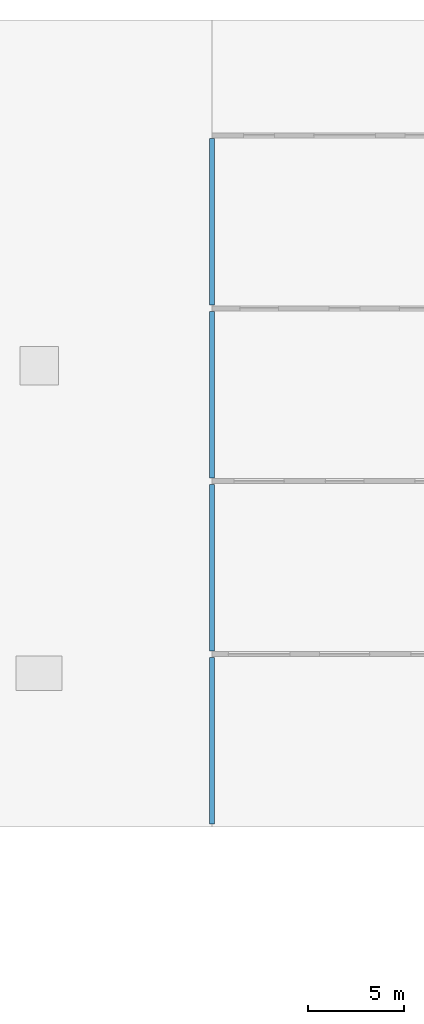
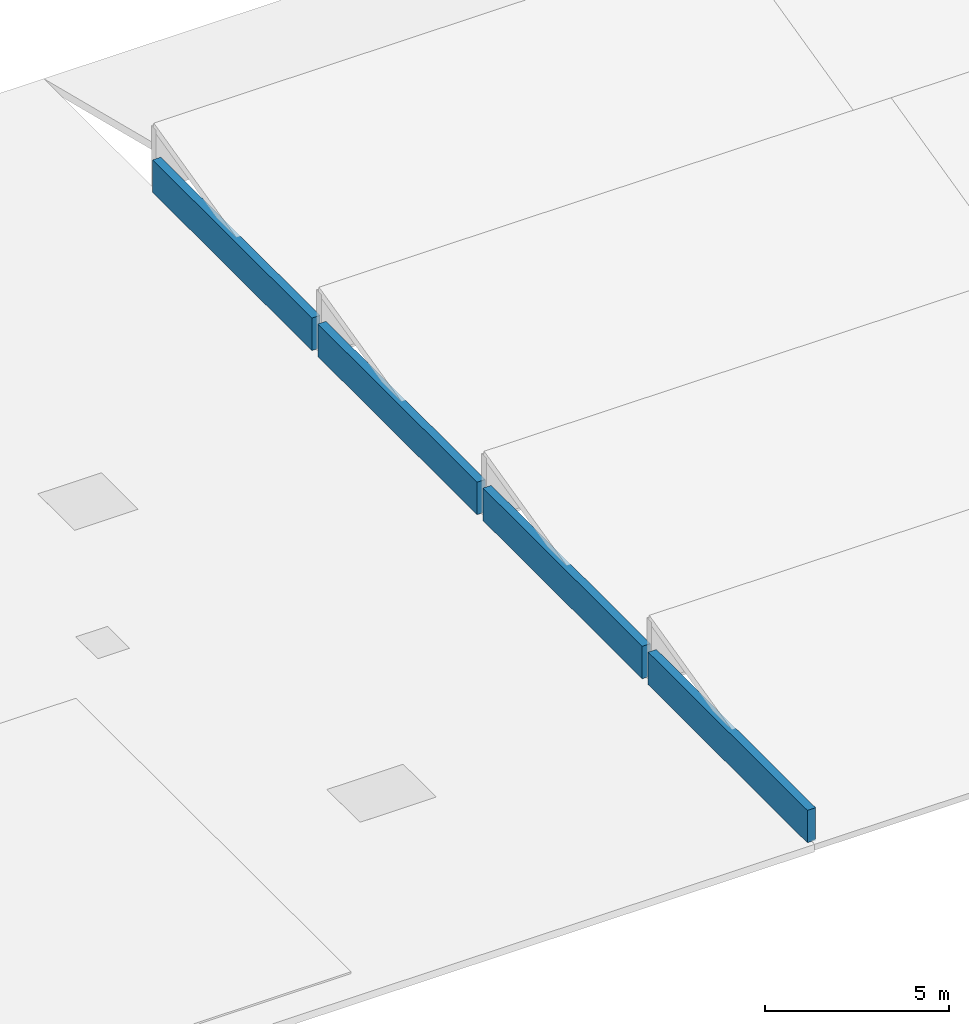
# One storey, part 26 of 37: 4 walls.
"""IFC4 building model written with IfcOpenShell, lengths in metres."""

from ifc_helpers import new_model, si_unit, direction, frame, frame_2d, origin, place, context, subcontext, project, spatial, rectangle, extrude, material, layer, layer_set, type_object, element, save


model = new_model("IFC4")

# Units and contexts
model_context = context("Model", 3, precision=1e-05, world=origin(), true_north=direction((0.0, 1.0)))
body_context = subcontext(model_context, "Body", "Model", "MODEL_VIEW")
ifc_project = project(units=[si_unit("LENGTHUNIT", "METRE"), si_unit("AREAUNIT", "SQUARE_METRE"), si_unit("VOLUMEUNIT", "CUBIC_METRE"), si_unit("PLANEANGLEUNIT", "RADIAN"), si_unit("MASSUNIT", "GRAM", prefix="KILO")], contexts=[model_context])

# Site, building, storey
site_placement = place(None, origin())
site = spatial("IfcSite", under=ifc_project, at=site_placement, CompositionType="ELEMENT")
building_placement = place(site_placement, origin())
building = spatial("IfcBuilding", under=site, at=building_placement, Name="Palais des Congres Ocreval", CompositionType="ELEMENT")
storey_placement = place(building_placement, frame((0.0, 0.0, 11.52001953125)))
storey = spatial("IfcBuildingStorey", under=building, at=storey_placement, Name="L03", CompositionType="ELEMENT", Elevation=11.52001953125)

# Walls
ifc_material = material(Name="Concrete C40/50", Category="concrete")
ifc_layer = layer(ifc_material, 0.260009765625)
ifc_layer_set = layer_set([ifc_layer], Name="Sawtooth Clerestory Wall 260 Concrete C40/50")
wall_type = type_object("IfcWallType", Name="Sawtooth Clerestory Wall 260 Concrete C40/50", PredefinedType="SOLIDWALL", material=ifc_layer_set)
for number, where, z_axis, x_axis, name in (
    (1, (126.0, 72.159912109375, 0.0), (0.0, 0.0, 1.0), (0.0, 1.0, 0.0), "Ballroom Sawtooth End Cheek Wall 1-W"),
    (2, (126.0, 81.159912109375, 0.0), (0.0, 0.0, 1.0), (0.0, 1.0, 0.0), "Ballroom Sawtooth End Cheek Wall 2-W"),
    (3, (126.0, 90.159912109375, 0.0), (0.0, 0.0, 1.0), (0.0, 1.0, 0.0), "Ballroom Sawtooth End Cheek Wall 3-W"),
    (4, (126.0, 99.159912109375, 0.0), (0.0, 0.0, 1.0), (0.0, 1.0, 0.0), "Ballroom Sawtooth End Cheek Wall 4-W"),
):
    element("IfcWall", number, at=place(storey_placement, frame(where, z_axis=z_axis, x_axis=x_axis)), inside=storey, type_object=wall_type, Name=name, PredefinedType="SOLIDWALL", context=body_context, shape_type="SweptSolid", body=[
        extrude(rectangle(XDim=8.68017578125, YDim=0.260009765625, at=frame_2d((4.340087890625, 0.0))), origin(), (0.0, 0.0, 1.0), 1.080078125),
    ])

save(model, "model.ifc")
